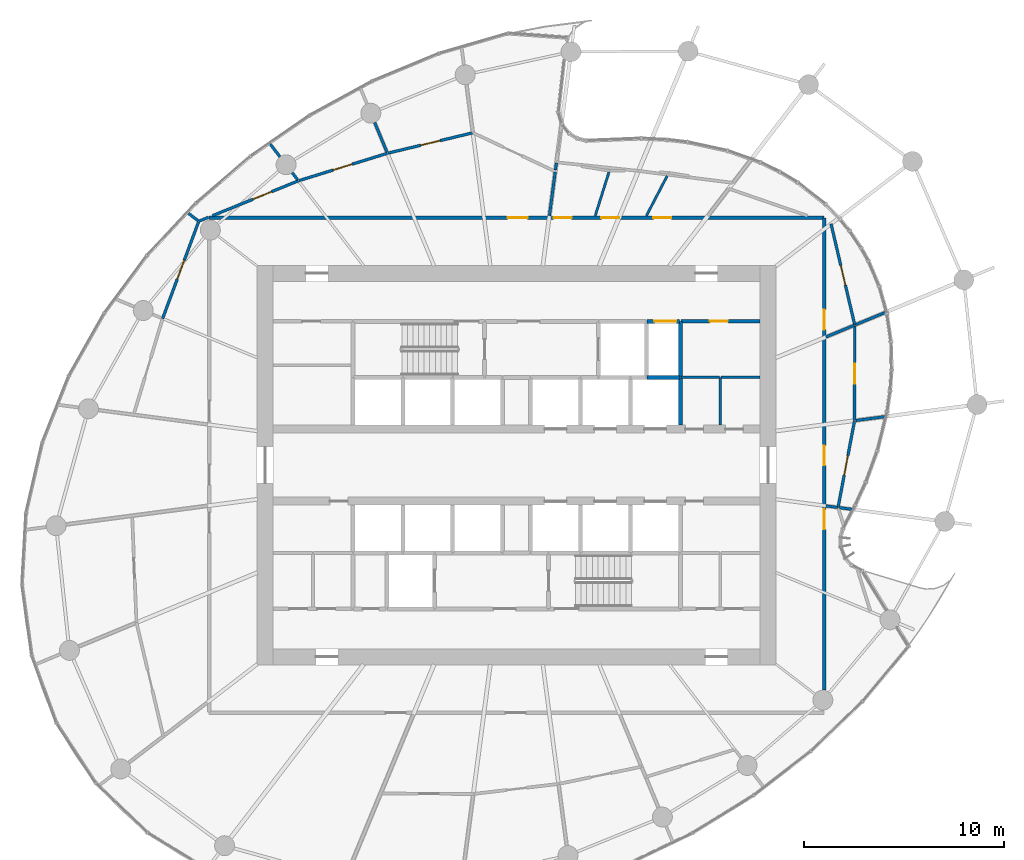
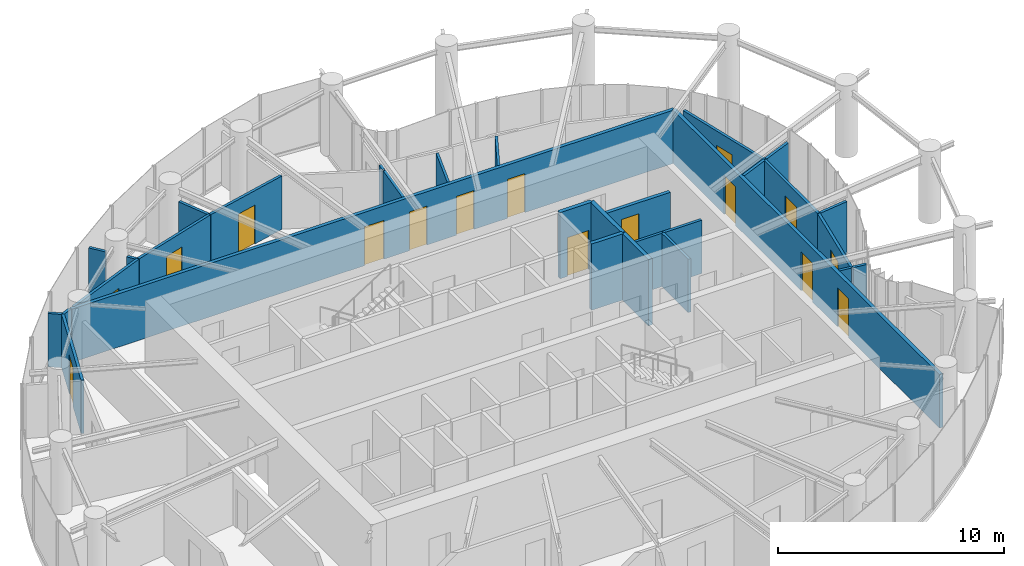
# One storey, part 16 of 19: 31 walls, 16 doors, 16 openings.
"""IFC4 building model written with IfcOpenShell, lengths in metres."""

from ifc_helpers import new_model, si_unit, direction, frame, frame_2d, origin, place, context, subcontext, project, spatial, rectangle, extrude, source, transform, mapped, material, layer, layer_set, type_object, element, fill, save


model = new_model("IFC4")

# Units and contexts
model_context = context("Model", 3, precision=1e-05, world=origin(), true_north=direction((0.0, 1.0)))
body_context = subcontext(model_context, "Body", "Model", "MODEL_VIEW")
ifc_project = project(units=[si_unit("LENGTHUNIT", "METRE"), si_unit("AREAUNIT", "SQUARE_METRE"), si_unit("VOLUMEUNIT", "CUBIC_METRE"), si_unit("PLANEANGLEUNIT", "RADIAN"), si_unit("MASSUNIT", "GRAM", prefix="KILO")], contexts=[model_context])

# Site, building, storey
site_placement = place(None, origin())
site = spatial("IfcSite", under=ifc_project, at=site_placement, CompositionType="ELEMENT")
building_placement = place(site_placement, origin())
building = spatial("IfcBuilding", under=site, at=building_placement, Name="Spindrift Exchange Tower", CompositionType="ELEMENT")
storey_placement = place(building_placement, frame((0.0, 0.0, 137.0)))
storey = spatial("IfcBuildingStorey", under=building, at=storey_placement, Name="L32", CompositionType="ELEMENT", Elevation=137.0)

# Wall, openings, doors
ifc_material_1 = material(Name="Fire-rated plasterboard partition", Category="gypsum")
ifc_layer_1 = layer(ifc_material_1, 0.179931640625)
ifc_layer_set_1 = layer_set([ifc_layer_1], Name="W-CORR-180")
wall_type_1 = type_object("IfcWallType", Name="W-CORR-180", PredefinedType="PARTITIONING", material=ifc_layer_set_1)
wall_1_placement = place(storey_placement, frame((36.60009765625, 60.39990234375, 0.0), z_axis=(0.0, 0.0, 1.0), x_axis=(1.0, 0.0, 0.0)))
wall_1 = element("IfcWall", 1, at=wall_1_placement, inside=storey, type_object=wall_type_1, Name="L32 Partition wall 56", PredefinedType="PARTITIONING", context=body_context, shape_type="SweptSolid", body=[
    extrude(rectangle(XDim=30.7998046875, YDim=0.179931640625, at=frame_2d((15.39990234375, 0.0))), origin(), (0.0, 0.0, 1.0), 2.8798828125),
])
opening_1_placement = place(wall_1_placement, frame((22.25, 0.0, 0.0)))
opening_1 = element("IfcOpeningElement", 2, at=opening_1_placement, cuts=wall_1, Name="Opening L32-D25", PredefinedType="OPENING", context=body_context, shape_type="SweptSolid", body=[
    extrude(rectangle(XDim=0.89990234375, YDim=2.10009765625, at=frame_2d((0.449951171875, 1.050048828125))), frame((0.0, 0.099853515625, 0.0), z_axis=(0.0, -1.0, 0.0), x_axis=(1.0, 0.0, 0.0)), (0.0, 0.0, 1.0), 0.199951171875),
])
opening_2_placement = place(wall_1_placement, frame((19.64990234375, 0.0, 0.0)))
opening_2 = element("IfcOpeningElement", 3, at=opening_2_placement, cuts=wall_1, Name="Opening L32-D26", PredefinedType="OPENING", context=body_context, shape_type="SweptSolid", body=[
    extrude(rectangle(XDim=0.89990234375, YDim=2.10009765625, at=frame_2d((0.449951171875, 1.050048828125))), frame((0.0, 0.099853515625, 0.0), z_axis=(0.0, -1.0, 0.0), x_axis=(1.0, 0.0, 0.0)), (0.0, 0.0, 1.0), 0.199951171875),
])
opening_3_placement = place(wall_1_placement, frame((17.25, 0.0, 0.0)))
opening_3 = element("IfcOpeningElement", 4, at=opening_3_placement, cuts=wall_1, Name="Opening L32-D27", PredefinedType="OPENING", context=body_context, shape_type="SweptSolid", body=[
    extrude(rectangle(XDim=0.89990234375, YDim=2.10009765625, at=frame_2d((0.449951171875, 1.050048828125))), frame((0.0, 0.099853515625, 0.0), z_axis=(0.0, -1.0, 0.0), x_axis=(1.0, 0.0, 0.0)), (0.0, 0.0, 1.0), 0.199951171875),
])
opening_4_placement = place(wall_1_placement, frame((14.949951171875, 0.0, 0.0)))
opening_4 = element("IfcOpeningElement", 5, at=opening_4_placement, cuts=wall_1, Name="Opening L32-D28", PredefinedType="OPENING", context=body_context, shape_type="SweptSolid", body=[
    extrude(rectangle(XDim=1.0, YDim=2.10009765625, at=frame_2d((0.5, 1.050048828125))), frame((0.0, 0.099853515625, 0.0), z_axis=(0.0, -1.0, 0.0), x_axis=(1.0, 0.0, 0.0)), (0.0, 0.0, 1.0), 0.199951171875),
])
ifc_material_2 = material(Name="Timber-core fire door", Category="wood")
door_type_1 = type_object("IfcDoorType", Name="DR-ROOM-1000", OperationType="NOTDEFINED", PredefinedType="DOOR", material=ifc_material_2)
shared_shape_1 = source(origin(), body_context, "Body", "SweptSolid", [
    extrude(rectangle(XDim=1.0, YDim=2.10009765625, at=frame_2d((0.5, 1.050048828125))), frame((0.0, 0.02490234375, 0.0), z_axis=(0.0, -1.0, 0.0), x_axis=(1.0, 0.0, 0.0)), (0.0, 0.0, 1.0), 0.050048828125),
])
door_1_placement = place(opening_4_placement, origin())
door_1 = element("IfcDoor", 6, at=door_1_placement, inside=storey, type_object=door_type_1, Name="L32 Door 28", OperationType="SINGLE_SWING_RIGHT", OverallHeight=2.10009765625, OverallWidth=1.0, PredefinedType="DOOR", context=body_context, shape_type="MappedRepresentation", body=[
    mapped(shared_shape_1, transform((0.0, 0.0, 0.0), scale=1.0)),
])
fill(opening_4, door_1)
ifc_material_3 = material(Name="Laminate washroom door", Category="wood")
door_type_2 = type_object("IfcDoorType", Name="DR-WC-900", OperationType="NOTDEFINED", PredefinedType="DOOR", material=ifc_material_3)
shared_shape_2 = source(origin(), body_context, "Body", "SweptSolid", [
    extrude(rectangle(XDim=0.89990234375, YDim=2.10009765625, at=frame_2d((0.449951171875, 1.050048828125))), frame((0.0, 0.02490234375, 0.0), z_axis=(0.0, -1.0, 0.0), x_axis=(1.0, 0.0, 0.0)), (0.0, 0.0, 1.0), 0.050048828125),
])
door_2_placement = place(opening_1_placement, origin())
door_2 = element("IfcDoor", 7, at=door_2_placement, inside=storey, type_object=door_type_2, Name="L32 WC door 25", OperationType="SINGLE_SWING_LEFT", OverallHeight=2.10009765625, OverallWidth=0.89990234375, PredefinedType="DOOR", context=body_context, shape_type="MappedRepresentation", body=[
    mapped(shared_shape_2, transform((0.0, 0.0, 0.0), scale=1.0)),
])
fill(opening_1, door_2)
door_3_placement = place(opening_2_placement, origin())
door_3 = element("IfcDoor", 8, at=door_3_placement, inside=storey, type_object=door_type_2, Name="L32 WC door 26", OperationType="SINGLE_SWING_RIGHT", OverallHeight=2.10009765625, OverallWidth=0.89990234375, PredefinedType="DOOR", context=body_context, shape_type="MappedRepresentation", body=[
    mapped(shared_shape_2, transform((0.0, 0.0, 0.0), scale=1.0)),
])
fill(opening_2, door_3)
door_4_placement = place(opening_3_placement, origin())
door_4 = element("IfcDoor", 9, at=door_4_placement, inside=storey, type_object=door_type_2, Name="L32 WC door 27", OperationType="SINGLE_SWING_LEFT", OverallHeight=2.10009765625, OverallWidth=0.89990234375, PredefinedType="DOOR", context=body_context, shape_type="MappedRepresentation", body=[
    mapped(shared_shape_2, transform((0.0, 0.0, 0.0), scale=1.0)),
])
fill(opening_3, door_4)

wall_2_placement = place(storey_placement, frame((67.39990234375, 60.3701171875, 0.0), z_axis=(0.0, 0.0, 1.0), x_axis=(0.0, -1.0, 0.0)))
wall_2 = element("IfcWall", 10, at=wall_2_placement, inside=storey, type_object=wall_type_1, Name="L32 Partition wall 58", PredefinedType="PARTITIONING", context=body_context, shape_type="SweptSolid", body=[
    extrude(rectangle(XDim=23.6376953125, YDim=0.179931640625, at=frame_2d((11.81884765625, 0.0))), origin(), (0.0, 0.0, 1.0), 2.8798828125),
])
opening_5_placement = place(wall_2_placement, frame((4.58740234375, 0.0, 0.0)))
opening_5 = element("IfcOpeningElement", 11, at=opening_5_placement, cuts=wall_2, Name="Opening L32-D23", PredefinedType="OPENING", context=body_context, shape_type="SweptSolid", body=[
    extrude(rectangle(XDim=1.0, YDim=2.10009765625, at=frame_2d((0.5, 1.050048828125))), frame((0.0, 0.099853515625, 0.0), z_axis=(0.0, -1.0, 0.0), x_axis=(1.0, 0.0, 0.0)), (0.0, 0.0, 1.0), 0.199951171875),
])
opening_6_placement = place(wall_2_placement, frame((14.58740234375, 0.0, 0.0)))
opening_6 = element("IfcOpeningElement", 12, at=opening_6_placement, cuts=wall_2, Name="Opening L32-D46", PredefinedType="OPENING", context=body_context, shape_type="SweptSolid", body=[
    extrude(rectangle(XDim=1.0, YDim=2.10009765625, at=frame_2d((0.5, 1.050048828125))), frame((0.0, 0.099853515625, 0.0), z_axis=(0.0, -1.0, 0.0), x_axis=(1.0, 0.0, 0.0)), (0.0, 0.0, 1.0), 0.199951171875),
])
opening_7_placement = place(wall_2_placement, frame((11.387451171875, 0.0, 0.0)))
opening_7 = element("IfcOpeningElement", 13, at=opening_7_placement, cuts=wall_2, Name="Opening L32-D48", PredefinedType="OPENING", context=body_context, shape_type="SweptSolid", body=[
    extrude(rectangle(XDim=1.0, YDim=2.10009765625, at=frame_2d((0.5, 1.050048828125))), frame((0.0, 0.099853515625, 0.0), z_axis=(0.0, -1.0, 0.0), x_axis=(1.0, 0.0, 0.0)), (0.0, 0.0, 1.0), 0.199951171875),
])
door_5_placement = place(opening_5_placement, origin())
door_5 = element("IfcDoor", 14, at=door_5_placement, inside=storey, type_object=door_type_1, Name="L32 Door 23", OperationType="SINGLE_SWING_LEFT", OverallHeight=2.10009765625, OverallWidth=1.0, PredefinedType="DOOR", context=body_context, shape_type="MappedRepresentation", body=[
    mapped(shared_shape_1, transform((0.0, 0.0, 0.0), scale=1.0)),
])
fill(opening_5, door_5)
door_6_placement = place(opening_6_placement, origin())
door_6 = element("IfcDoor", 15, at=door_6_placement, inside=storey, type_object=door_type_1, Name="L32 Door 46", OperationType="SINGLE_SWING_RIGHT", OverallHeight=2.10009765625, OverallWidth=1.0, PredefinedType="DOOR", context=body_context, shape_type="MappedRepresentation", body=[
    mapped(shared_shape_1, transform((0.0, 0.0, 0.0), scale=1.0)),
])
fill(opening_6, door_6)
door_7_placement = place(opening_7_placement, origin())
door_7 = element("IfcDoor", 16, at=door_7_placement, inside=storey, type_object=door_type_1, Name="L32 Door 48", OperationType="SINGLE_SWING_RIGHT", OverallHeight=2.10009765625, OverallWidth=1.0, PredefinedType="DOOR", context=body_context, shape_type="MappedRepresentation", body=[
    mapped(shared_shape_1, transform((0.0, 0.0, 0.0), scale=1.0)),
])
fill(opening_7, door_7)

# Wall, opening, door
wall_3_placement = place(storey_placement, frame((64.179931640625, 55.199951171875, 0.0), z_axis=(0.0, 0.0, 1.0), x_axis=(-1.0, 0.0, 0.0)))
wall_3 = element("IfcWall", 17, at=wall_3_placement, inside=storey, type_object=wall_type_1, Name="L32 Partition wall 60", PredefinedType="PARTITIONING", context=body_context, shape_type="SweptSolid", body=[
    extrude(rectangle(XDim=3.949951171875, YDim=0.179931640625, at=frame_2d((1.97509765625, 0.0))), origin(), (0.0, 0.0, 1.0), 2.699951171875),
])
opening_8_placement = place(wall_3_placement, frame((1.60009765625, 0.0, 0.0)))
opening_8 = element("IfcOpeningElement", 18, at=opening_8_placement, cuts=wall_3, Name="Opening L32-D57", PredefinedType="OPENING", context=body_context, shape_type="SweptSolid", body=[
    extrude(rectangle(XDim=0.89990234375, YDim=2.10009765625, at=frame_2d((0.449951171875, 1.050048828125))), frame((0.0, 0.099853515625, 0.0), z_axis=(0.0, -1.0, 0.0), x_axis=(1.0, 0.0, 0.0)), (0.0, 0.0, 1.0), 0.199951171875),
])
ifc_material_4 = material(Name="Steel access door", Category="steel")
door_type_3 = type_object("IfcDoorType", Name="DR-RISER-900", OperationType="NOTDEFINED", PredefinedType="DOOR", material=ifc_material_4)
shared_shape_3 = source(origin(), body_context, "Body", "SweptSolid", [
    extrude(rectangle(XDim=0.89990234375, YDim=2.10009765625, at=frame_2d((0.449951171875, 1.050048828125))), frame((0.0, 0.02490234375, 0.0), z_axis=(0.0, -1.0, 0.0), x_axis=(1.0, 0.0, 0.0)), (0.0, 0.0, 1.0), 0.050048828125),
])
door_8_placement = place(opening_8_placement, origin())
door_8 = element("IfcDoor", 19, at=door_8_placement, inside=storey, type_object=door_type_3, Name="L32 Riser door 57", OperationType="SINGLE_SWING_LEFT", OverallHeight=2.10009765625, OverallWidth=0.89990234375, PredefinedType="DOOR", context=body_context, shape_type="MappedRepresentation", body=[
    mapped(shared_shape_3, transform((0.0, 0.0, 0.0), scale=1.0)),
])
fill(opening_8, door_8)

# Wall
ifc_layer_2 = layer(ifc_material_1, 0.139892578125)
ifc_layer_set_2 = layer_set([ifc_layer_2], Name="W-PART-140")
wall_type_2 = type_object("IfcWallType", Name="W-PART-140", PredefinedType="PARTITIONING", material=ifc_layer_set_2)
wall_4_placement = place(storey_placement, frame((36.57275390625, 60.41259765625, 0.0), z_axis=(0.0, 0.0, 1.0), x_axis=(-0.926456511484, -0.376401822961, 0.0)))
element("IfcWall", 20, at=wall_4_placement, inside=storey, type_object=wall_type_2, Name="L32 Partition wall 67", PredefinedType="PARTITIONING", context=body_context, shape_type="SweptSolid", body=[
    extrude(rectangle(XDim=0.528564453125, YDim=0.139892578125, at=frame_2d((0.26416015625, 0.0))), origin(), (0.0, 0.0, 1.0), 2.8798828125),
])

# Wall, opening, door
wall_5_placement = place(storey_placement, frame((36.763427734375, 60.489990234375, 0.0), z_axis=(0.0, 0.0, 1.0), x_axis=(0.926531191785, 0.376217956309, 0.0)))
wall_5 = element("IfcWall", 21, at=wall_5_placement, inside=storey, type_object=wall_type_2, Name="L32 Partition wall 68", PredefinedType="PARTITIONING", context=body_context, shape_type="SweptSolid", body=[
    extrude(rectangle(XDim=4.651611328125, YDim=0.139892578125, at=frame_2d((2.32568359375, 0.0))), origin(), (0.0, 0.0, 1.0), 2.8798828125),
])
opening_9_placement = place(wall_5_placement, frame((2.20166015625, 0.0, 0.0)))
opening_9 = element("IfcOpeningElement", 22, at=opening_9_placement, cuts=wall_5, Name="Opening L32-D32", PredefinedType="OPENING", context=body_context, shape_type="SweptSolid", body=[
    extrude(rectangle(XDim=1.0, YDim=2.10009765625, at=frame_2d((0.5, 1.050048828125))), frame((0.0, 0.079833984375, 0.0), z_axis=(0.0, -1.0, 0.0), x_axis=(1.0, 0.0, 0.0)), (0.0, 0.0, 1.0), 0.159912109375),
])
door_9_placement = place(opening_9_placement, origin())
door_9 = element("IfcDoor", 23, at=door_9_placement, inside=storey, type_object=door_type_1, Name="L32 Door 32", OperationType="SINGLE_SWING_RIGHT", OverallHeight=2.10009765625, OverallWidth=1.0, PredefinedType="DOOR", context=body_context, shape_type="MappedRepresentation", body=[
    mapped(shared_shape_1, transform((0.0, 0.0, 0.0), scale=1.0)),
])
fill(opening_9, door_9)

wall_6_placement = place(storey_placement, frame((67.747802734375, 60.08349609375, 0.0), z_axis=(0.0, 0.0, 1.0), x_axis=(0.228252449255, -0.973601982028, 0.0)))
wall_6 = element("IfcWall", 24, at=wall_6_placement, inside=storey, type_object=wall_type_2, Name="L32 Partition wall 70", PredefinedType="PARTITIONING", context=body_context, shape_type="SweptSolid", body=[
    extrude(rectangle(XDim=5.205810546875, YDim=0.139892578125, at=frame_2d((2.60302734375, 0.0))), origin(), (0.0, 0.0, 1.0), 2.8798828125),
])
opening_10_placement = place(wall_6_placement, frame((2.156005859375, 0.0, 0.0)))
opening_10 = element("IfcOpeningElement", 25, at=opening_10_placement, cuts=wall_6, Name="Opening L32-D24", PredefinedType="OPENING", context=body_context, shape_type="SweptSolid", body=[
    extrude(rectangle(XDim=1.0, YDim=2.10009765625, at=frame_2d((0.5, 1.050048828125))), frame((0.0, 0.079833984375, 0.0), z_axis=(0.0, -1.0, 0.0), x_axis=(1.0, 0.0, 0.0)), (0.0, 0.0, 1.0), 0.159912109375),
])
door_10_placement = place(opening_10_placement, origin())
door_10 = element("IfcDoor", 26, at=door_10_placement, inside=storey, type_object=door_type_1, Name="L32 Door 24", OperationType="SINGLE_SWING_RIGHT", OverallHeight=2.10009765625, OverallWidth=1.0, PredefinedType="DOOR", context=body_context, shape_type="MappedRepresentation", body=[
    mapped(shared_shape_1, transform((0.0, 0.0, 0.0), scale=1.0)),
])
fill(opening_10, door_10)

wall_7_placement = place(storey_placement, frame((34.272216796875, 55.343017578125, 0.0), z_axis=(0.0, 0.0, 1.0), x_axis=(0.348465337837, 0.937321667479, 0.0)))
wall_7 = element("IfcWall", 27, at=wall_7_placement, inside=storey, type_object=wall_type_2, Name="L32 Partition wall 71", PredefinedType="PARTITIONING", context=body_context, shape_type="SweptSolid", body=[
    extrude(rectangle(XDim=5.166259765625, YDim=0.139892578125, at=frame_2d((2.5830078125, 0.0))), origin(), (0.0, 0.0, 1.0), 2.8798828125),
])
opening_11_placement = place(wall_7_placement, frame((2.1162109375, 0.0, 0.0)))
opening_11 = element("IfcOpeningElement", 28, at=opening_11_placement, cuts=wall_7, Name="Opening L32-D35", PredefinedType="OPENING", context=body_context, shape_type="SweptSolid", body=[
    extrude(rectangle(XDim=1.0, YDim=2.10009765625, at=frame_2d((0.5, 1.050048828125))), frame((0.0, 0.079833984375, 0.0), z_axis=(0.0, -1.0, 0.0), x_axis=(1.0, 0.0, 0.0)), (0.0, 0.0, 1.0), 0.159912109375),
])
door_11_placement = place(opening_11_placement, origin())
door_11 = element("IfcDoor", 29, at=door_11_placement, inside=storey, type_object=door_type_1, Name="L32 Door 35", OperationType="SINGLE_SWING_LEFT", OverallHeight=2.10009765625, OverallWidth=1.0, PredefinedType="DOOR", context=body_context, shape_type="MappedRepresentation", body=[
    mapped(shared_shape_1, transform((0.0, 0.0, 0.0), scale=1.0)),
])
fill(opening_11, door_11)

wall_8_placement = place(storey_placement, frame((68.93603515625, 54.985107421875, 0.0), z_axis=(0.0, 0.0, 1.0), x_axis=(-0.002258257432, -0.999997450133, 0.0)))
wall_8 = element("IfcWall", 30, at=wall_8_placement, inside=storey, type_object=wall_type_2, Name="L32 Partition wall 73", PredefinedType="PARTITIONING", context=body_context, shape_type="SweptSolid", body=[
    extrude(rectangle(XDim=4.7568359375, YDim=0.139892578125, at=frame_2d((2.37841796875, 0.0))), origin(), (0.0, 0.0, 1.0), 2.8798828125),
])
opening_12_placement = place(wall_8_placement, frame((1.906982421875, 0.0, 0.0)))
opening_12 = element("IfcOpeningElement", 31, at=opening_12_placement, cuts=wall_8, Name="Opening L32-D50", PredefinedType="OPENING", context=body_context, shape_type="SweptSolid", body=[
    extrude(rectangle(XDim=1.0, YDim=2.10009765625, at=frame_2d((0.5, 1.050048828125))), frame((0.0, 0.079833984375, 0.0), z_axis=(0.0, -1.0, 0.0), x_axis=(1.0, 0.0, 0.0)), (0.0, 0.0, 1.0), 0.159912109375),
])
door_12_placement = place(opening_12_placement, origin())
door_12 = element("IfcDoor", 32, at=door_12_placement, inside=storey, type_object=door_type_1, Name="L32 Door 50", OperationType="SINGLE_SWING_RIGHT", OverallHeight=2.10009765625, OverallWidth=1.0, PredefinedType="DOOR", context=body_context, shape_type="MappedRepresentation", body=[
    mapped(shared_shape_1, transform((0.0, 0.0, 0.0), scale=1.0)),
])
fill(opening_12, door_12)

wall_9_placement = place(storey_placement, frame((41.10205078125, 62.248779296875, 0.0), z_axis=(0.0, 0.0, 1.0), x_axis=(0.955371566551, 0.295406787033, 0.0)))
wall_9 = element("IfcWall", 33, at=wall_9_placement, inside=storey, type_object=wall_type_2, Name="L32 Partition wall 75", PredefinedType="PARTITIONING", context=body_context, shape_type="SweptSolid", body=[
    extrude(rectangle(XDim=4.635498046875, YDim=0.139892578125, at=frame_2d((2.31787109375, 0.0))), origin(), (0.0, 0.0, 1.0), 2.8798828125),
])
opening_13_placement = place(wall_9_placement, frame((1.78564453125, 0.0, 0.0)))
opening_13 = element("IfcOpeningElement", 34, at=opening_13_placement, cuts=wall_9, Name="Opening L32-D31", PredefinedType="OPENING", context=body_context, shape_type="SweptSolid", body=[
    extrude(rectangle(XDim=1.0, YDim=2.10009765625, at=frame_2d((0.5, 1.050048828125))), frame((0.0, 0.079833984375, 0.0), z_axis=(0.0, -1.0, 0.0), x_axis=(1.0, 0.0, 0.0)), (0.0, 0.0, 1.0), 0.159912109375),
])
door_13_placement = place(opening_13_placement, origin())
door_13 = element("IfcDoor", 35, at=door_13_placement, inside=storey, type_object=door_type_1, Name="L32 Door 31", OperationType="SINGLE_SWING_LEFT", OverallHeight=2.10009765625, OverallWidth=1.0, PredefinedType="DOOR", context=body_context, shape_type="MappedRepresentation", body=[
    mapped(shared_shape_1, transform((0.0, 0.0, 0.0), scale=1.0)),
])
fill(opening_13, door_13)

wall_10_placement = place(storey_placement, frame((68.919921875, 50.19873046875, 0.0), z_axis=(0.0, 0.0, 1.0), x_axis=(-0.186739450269, -0.982409475582, 0.0)))
wall_10 = element("IfcWall", 36, at=wall_10_placement, inside=storey, type_object=wall_type_2, Name="L32 Partition wall 80", PredefinedType="PARTITIONING", context=body_context, shape_type="SweptSolid", body=[
    extrude(rectangle(XDim=4.3955078125, YDim=0.139892578125, at=frame_2d((2.19775390625, 0.0))), origin(), (0.0, 0.0, 1.0), 2.8798828125),
])
opening_14_placement = place(wall_10_placement, frame((1.74560546875, 0.0, 0.0)))
opening_14 = element("IfcOpeningElement", 37, at=opening_14_placement, cuts=wall_10, Name="Opening L32-D49", PredefinedType="OPENING", context=body_context, shape_type="SweptSolid", body=[
    extrude(rectangle(XDim=1.0, YDim=2.10009765625, at=frame_2d((0.5, 1.050048828125))), frame((0.0, 0.079833984375, 0.0), z_axis=(0.0, -1.0, 0.0), x_axis=(1.0, 0.0, 0.0)), (0.0, 0.0, 1.0), 0.159912109375),
])
door_14_placement = place(opening_14_placement, origin())
door_14 = element("IfcDoor", 38, at=door_14_placement, inside=storey, type_object=door_type_1, Name="L32 Door 49", OperationType="SINGLE_SWING_LEFT", OverallHeight=2.10009765625, OverallWidth=1.0, PredefinedType="DOOR", context=body_context, shape_type="MappedRepresentation", body=[
    mapped(shared_shape_1, transform((0.0, 0.0, 0.0), scale=1.0)),
])
fill(opening_14, door_14)

wall_11_placement = place(storey_placement, frame((45.559814453125, 63.625, 0.0), z_axis=(0.0, 0.0, 1.0), x_axis=(0.972376576892, 0.233417635821, 0.0)))
wall_11 = element("IfcWall", 39, at=wall_11_placement, inside=storey, type_object=wall_type_2, Name="L32 Partition wall 81", PredefinedType="PARTITIONING", context=body_context, shape_type="SweptSolid", body=[
    extrude(rectangle(XDim=4.339599609375, YDim=0.139892578125, at=frame_2d((2.169921875, 0.0))), origin(), (0.0, 0.0, 1.0), 2.8798828125),
])
opening_15_placement = place(wall_11_placement, frame((1.689453125, 0.0, 0.0)))
opening_15 = element("IfcOpeningElement", 40, at=opening_15_placement, cuts=wall_11, Name="Opening L32-D30", PredefinedType="OPENING", context=body_context, shape_type="SweptSolid", body=[
    extrude(rectangle(XDim=1.0, YDim=2.10009765625, at=frame_2d((0.5, 1.050048828125))), frame((0.0, 0.079833984375, 0.0), z_axis=(0.0, -1.0, 0.0), x_axis=(1.0, 0.0, 0.0)), (0.0, 0.0, 1.0), 0.159912109375),
])
door_15_placement = place(opening_15_placement, origin())
door_15 = element("IfcDoor", 41, at=door_15_placement, inside=storey, type_object=door_type_1, Name="L32 Door 30", OperationType="SINGLE_SWING_RIGHT", OverallHeight=2.10009765625, OverallWidth=1.0, PredefinedType="DOOR", context=body_context, shape_type="MappedRepresentation", body=[
    mapped(shared_shape_1, transform((0.0, 0.0, 0.0), scale=1.0)),
])
fill(opening_15, door_15)

# Walls
wall_12_placement = place(storey_placement, frame((62.199951171875, 50.010009765625, 0.0), z_axis=(0.0, 0.0, 1.0), x_axis=(0.0, 1.0, 0.0)))
element("IfcWall", 42, at=wall_12_placement, inside=storey, type_object=wall_type_2, Name="L32 Partition wall 95", PredefinedType="PARTITIONING", context=body_context, shape_type="SweptSolid", body=[
    extrude(rectangle(XDim=2.389892578125, YDim=0.139892578125, at=frame_2d((1.19482421875, 0.0))), origin(), (0.0, 0.0, 1.0), 2.8798828125),
])
wall_13_placement = place(storey_placement, frame((53.644287109375, 60.489990234375, 0.0), z_axis=(0.0, 0.0, 1.0), x_axis=(0.13051751215, 0.991446004088, 0.0)))
element("IfcWall", 43, at=wall_13_placement, inside=storey, type_object=wall_type_2, Name="L32 Partition wall 96", PredefinedType="PARTITIONING", context=body_context, shape_type="SweptSolid", body=[
    extrude(rectangle(XDim=2.205322265625, YDim=0.139892578125, at=frame_2d((1.1025390625, 0.0))), origin(), (0.0, 0.0, 1.0), 2.8798828125),
])
wall_14_placement = place(storey_placement, frame((62.169921875, 52.39990234375, 0.0), z_axis=(0.0, 0.0, 1.0), x_axis=(-1.0, 0.0, 0.0)))
element("IfcWall", 44, at=wall_14_placement, inside=storey, type_object=wall_type_2, Name="L32 Partition wall 102", PredefinedType="PARTITIONING", context=body_context, shape_type="SweptSolid", body=[
    extrude(rectangle(XDim=1.93994140625, YDim=0.139892578125, at=frame_2d((0.969970703125, 0.0))), origin(), (0.0, 0.0, 1.0), 2.8798828125),
])
wall_15_placement = place(storey_placement, frame((64.179931640625, 52.39990234375, 0.0), z_axis=(0.0, 0.0, 1.0), x_axis=(-1.0, 0.0, 0.0)))
element("IfcWall", 45, at=wall_15_placement, inside=storey, type_object=wall_type_2, Name="L32 Partition wall 104", PredefinedType="PARTITIONING", context=body_context, shape_type="SweptSolid", body=[
    extrude(rectangle(XDim=1.949951171875, YDim=0.139892578125, at=frame_2d((0.97509765625, 0.0))), origin(), (0.0, 0.0, 1.0), 2.8798828125),
])
wall_16_placement = place(storey_placement, frame((45.50390625, 63.68310546875, 0.0), z_axis=(0.0, 0.0, 1.0), x_axis=(-0.382770137499, 0.923843613302, 0.0)))
element("IfcWall", 46, at=wall_16_placement, inside=storey, type_object=wall_type_2, Name="L32 Partition wall 109", PredefinedType="PARTITIONING", context=body_context, shape_type="SweptSolid", body=[
    extrude(rectangle(XDim=1.59765625, YDim=0.139892578125, at=frame_2d((0.798828125, 0.0))), origin(), (0.0, 0.0, 1.0), 2.8798828125),
])
wall_17_placement = place(storey_placement, frame((69.001708984375, 55.042236328125, 0.0), z_axis=(0.0, 0.0, 1.0), x_axis=(0.923869135218, 0.382708532686, 0.0)))
element("IfcWall", 47, at=wall_17_placement, inside=storey, type_object=wall_type_2, Name="L32 Partition wall 110", PredefinedType="PARTITIONING", context=body_context, shape_type="SweptSolid", body=[
    extrude(rectangle(XDim=1.591552734375, YDim=0.139892578125, at=frame_2d((0.7958984375, 0.0))), origin(), (0.0, 0.0, 1.0), 2.8798828125),
])
wall_18_placement = place(storey_placement, frame((67.489990234375, 54.416259765625, 0.0), z_axis=(0.0, 0.0, 1.0), x_axis=(0.923912182985, 0.382604597635, 0.0)))
element("IfcWall", 48, at=wall_18_placement, inside=storey, type_object=wall_type_2, Name="L32 Partition wall 111", PredefinedType="PARTITIONING", context=body_context, shape_type="SweptSolid", body=[
    extrude(rectangle(XDim=1.53515625, YDim=0.139892578125, at=frame_2d((0.767578125, 0.0))), origin(), (0.0, 0.0, 1.0), 2.8798828125),
])
wall_19_placement = place(storey_placement, frame((68.995361328125, 50.237548828125, 0.0), z_axis=(0.0, 0.0, 1.0), x_axis=(0.991440137129, 0.130562071405, 0.0)))
element("IfcWall", 49, at=wall_19_placement, inside=storey, type_object=wall_type_2, Name="L32 Partition wall 112", PredefinedType="PARTITIONING", context=body_context, shape_type="SweptSolid", body=[
    extrude(rectangle(XDim=1.4677734375, YDim=0.139892578125, at=frame_2d((0.73388671875, 0.0))), origin(), (0.0, 0.0, 1.0), 2.8798828125),
])
wall_20_placement = place(storey_placement, frame((40.14892578125, 63.444580078125, 0.0), z_axis=(0.0, 0.0, 1.0), x_axis=(-0.60864917868, 0.793439460383, 0.0)))
element("IfcWall", 50, at=wall_20_placement, inside=storey, type_object=wall_type_2, Name="L32 Partition wall 125", PredefinedType="PARTITIONING", context=body_context, shape_type="SweptSolid", body=[
    extrude(rectangle(XDim=0.800537109375, YDim=0.139892578125, at=frame_2d((0.400390625, 0.0))), origin(), (0.0, 0.0, 1.0), 2.8798828125),
])
wall_21_placement = place(storey_placement, frame((68.16845703125, 45.871337890625, 0.0), z_axis=(0.0, 0.0, 1.0), x_axis=(0.991464764419, -0.130374924413, 0.0)))
element("IfcWall", 51, at=wall_21_placement, inside=storey, type_object=wall_type_2, Name="L32 Partition wall 127", PredefinedType="PARTITIONING", context=body_context, shape_type="SweptSolid", body=[
    extrude(rectangle(XDim=0.634765625, YDim=0.139892578125, at=frame_2d((0.3173828125, 0.0))), origin(), (0.0, 0.0, 1.0), 2.8798828125),
])
wall_22_placement = place(storey_placement, frame((67.489990234375, 45.960693359375, 0.0), z_axis=(0.0, 0.0, 1.0), x_axis=(0.991467089631, -0.130357240609, 0.0)))
element("IfcWall", 52, at=wall_22_placement, inside=storey, type_object=wall_type_2, Name="L32 Partition wall 128", PredefinedType="PARTITIONING", context=body_context, shape_type="SweptSolid", body=[
    extrude(rectangle(XDim=0.584228515625, YDim=0.139892578125, at=frame_2d((0.2919921875, 0.0))), origin(), (0.0, 0.0, 1.0), 2.8798828125),
])
wall_23_placement = place(storey_placement, frame((36.05908203125, 60.23193359375, 0.0), z_axis=(0.0, 0.0, 1.0), x_axis=(-0.79330932609, 0.608818785139, 0.0)))
element("IfcWall", 53, at=wall_23_placement, inside=storey, type_object=wall_type_2, Name="L32 Partition wall 129", PredefinedType="PARTITIONING", context=body_context, shape_type="SweptSolid", body=[
    extrude(rectangle(XDim=0.6220703125, YDim=0.139892578125, at=frame_2d((0.31103515625, 0.0))), origin(), (0.0, 0.0, 1.0), 2.8798828125),
])
wall_24_placement = place(storey_placement, frame((41.029052734375, 62.297607421875, 0.0), z_axis=(0.0, 0.0, 1.0), x_axis=(-0.608548852833, 0.793516410489, 0.0)))
element("IfcWall", 54, at=wall_24_placement, inside=storey, type_object=wall_type_2, Name="L32 Partition wall 131", PredefinedType="PARTITIONING", context=body_context, shape_type="SweptSolid", body=[
    extrude(rectangle(XDim=0.43701171875, YDim=0.139892578125, at=frame_2d((0.218505859375, 0.0))), origin(), (0.0, 0.0, 1.0), 2.8798828125),
])
wall_25_placement = place(storey_placement, frame((53.94580078125, 62.779296875, 0.0), z_axis=(0.0, 0.0, 1.0), x_axis=(0.130262459178, 0.991479546803, 0.0)))
element("IfcWall", 55, at=wall_25_placement, inside=storey, type_object=wall_type_2, Name="L32 Partition wall 133", PredefinedType="PARTITIONING", context=body_context, shape_type="SweptSolid", body=[
    extrude(rectangle(XDim=0.36181640625, YDim=0.139892578125, at=frame_2d((0.180908203125, 0.0))), origin(), (0.0, 0.0, 1.0), 2.8798828125),
])
ifc_material_5 = material(Name="Concrete 40 MPa", Category="concrete")
ifc_layer_3 = layer(ifc_material_5, 0.199951171875)
ifc_layer_set_3 = layer_set([ifc_layer_3], Name="W-SHAFT-200")
wall_type_3 = type_object("IfcWallType", Name="W-SHAFT-200", PredefinedType="SOLIDWALL", material=ifc_layer_set_3)
wall_26_placement = place(storey_placement, frame((60.199951171875, 52.39990234375, 0.0), z_axis=(0.0, 0.0, 1.0), x_axis=(0.0, 1.0, 0.0)))
element("IfcWall", 56, at=wall_26_placement, inside=storey, type_object=wall_type_3, Name="L32 Shaft wall 14", PredefinedType="SOLIDWALL", context=body_context, shape_type="SweptSolid", body=[
    extrude(rectangle(XDim=2.800048828125, YDim=0.199951171875, at=frame_2d((1.39990234375, 0.0))), origin(), (0.0, 0.0, 1.0), 3.580078125),
])
wall_27_placement = place(storey_placement, frame((60.199951171875, 50.010009765625, 0.0), z_axis=(0.0, 0.0, 1.0), x_axis=(0.0, 1.0, 0.0)))
element("IfcWall", 57, at=wall_27_placement, inside=storey, type_object=wall_type_3, Name="L32 Shaft wall 38", PredefinedType="SOLIDWALL", context=body_context, shape_type="SweptSolid", body=[
    extrude(rectangle(XDim=2.360107421875, YDim=0.199951171875, at=frame_2d((1.18017578125, 0.0))), origin(), (0.0, 0.0, 1.0), 3.580078125),
])
wall_28_placement = place(storey_placement, frame((60.169921875, 52.39990234375, 0.0), z_axis=(0.0, 0.0, 1.0), x_axis=(-1.0, 0.0, 0.0)))
element("IfcWall", 58, at=wall_28_placement, inside=storey, type_object=wall_type_3, Name="L32 Shaft wall 41", PredefinedType="SOLIDWALL", context=body_context, shape_type="SweptSolid", body=[
    extrude(rectangle(XDim=1.639892578125, YDim=0.199951171875, at=frame_2d((0.81982421875, 0.0))), origin(), (0.0, 0.0, 1.0), 3.580078125),
])

# Wall, opening, door
wall_29_placement = place(storey_placement, frame((60.169921875, 55.199951171875, 0.0), z_axis=(0.0, 0.0, 1.0), x_axis=(-1.0, 0.0, 0.0)))
wall_29 = element("IfcWall", 59, at=wall_29_placement, inside=storey, type_object=wall_type_3, Name="L32 Shaft wall 42", PredefinedType="SOLIDWALL", context=body_context, shape_type="SweptSolid", body=[
    extrude(rectangle(XDim=1.639892578125, YDim=0.199951171875, at=frame_2d((0.81982421875, 0.0))), origin(), (0.0, 0.0, 1.0), 3.580078125),
])
opening_16_placement = place(wall_29_placement, frame((0.169921875, 0.0, 0.0)))
opening_16 = element("IfcOpeningElement", 60, at=opening_16_placement, cuts=wall_29, Name="Opening L32-D11", PredefinedType="OPENING", context=body_context, shape_type="SweptSolid", body=[
    extrude(rectangle(XDim=1.10009765625, YDim=2.10009765625, at=frame_2d((0.550048828125, 1.050048828125))), frame((0.0, 0.10986328125, 0.0), z_axis=(0.0, -1.0, 0.0), x_axis=(1.0, 0.0, 0.0)), (0.0, 0.0, 1.0), 0.219970703125),
])
ifc_material_6 = material(Name="Stainless steel landing door", Category="steel")
door_type_4 = type_object("IfcDoorType", Name="DR-LANDING-1100-SL", OperationType="DOUBLE_DOOR_SLIDING", PredefinedType="USERDEFINED", material=ifc_material_6)
shared_shape_4 = source(origin(), body_context, "Body", "SweptSolid", [
    extrude(rectangle(XDim=1.10009765625, YDim=2.10009765625, at=frame_2d((0.550048828125, 1.050048828125))), frame((0.0, 0.02490234375, 0.0), z_axis=(0.0, -1.0, 0.0), x_axis=(1.0, 0.0, 0.0)), (0.0, 0.0, 1.0), 0.050048828125),
])
door_16_placement = place(opening_16_placement, origin())
door_16 = element("IfcDoor", 61, at=door_16_placement, inside=storey, type_object=door_type_4, Name="L32 Lift landing door 11", ObjectType="LANDING DOOR", OperationType="DOUBLE_DOOR_SLIDING", OverallHeight=2.10009765625, OverallWidth=1.10009765625, PredefinedType="USERDEFINED", context=body_context, shape_type="MappedRepresentation", body=[
    mapped(shared_shape_4, transform((0.0, 0.0, 0.0), scale=1.0)),
])
fill(opening_16, door_16)

# Walls
ifc_layer_4 = layer(ifc_material_1, 0.1201171875)
ifc_layer_set_4 = layer_set([ifc_layer_4], Name="W-WET-120")
wall_type_4 = type_object("IfcWallType", Name="W-WET-120", PredefinedType="PARTITIONING", material=ifc_layer_set_4)
wall_30_placement = place(storey_placement, frame((55.93798828125, 60.489990234375, 0.0), z_axis=(0.0, 0.0, 1.0), x_axis=(0.300739313471, 0.953706383188, 0.0)))
element("IfcWall", 62, at=wall_30_placement, inside=storey, type_object=wall_type_4, Name="L32 Partition wall 136", PredefinedType="PARTITIONING", context=body_context, shape_type="SweptSolid", body=[
    extrude(rectangle(XDim=2.294921875, YDim=0.1201171875, at=frame_2d((1.1474609375, 0.0))), origin(), (0.0, 0.0, 1.0), 2.8798828125),
])
wall_31_placement = place(storey_placement, frame((58.501953125, 60.489990234375, 0.0), z_axis=(0.0, 0.0, 1.0), x_axis=(0.461711861274, 0.887029964071, 0.0)))
element("IfcWall", 63, at=wall_31_placement, inside=storey, type_object=wall_type_4, Name="L32 Partition wall 137", PredefinedType="PARTITIONING", context=body_context, shape_type="SweptSolid", body=[
    extrude(rectangle(XDim=2.247314453125, YDim=0.1201171875, at=frame_2d((1.12353515625, 0.0))), origin(), (0.0, 0.0, 1.0), 2.8798828125),
])

save(model, "model.ifc")
